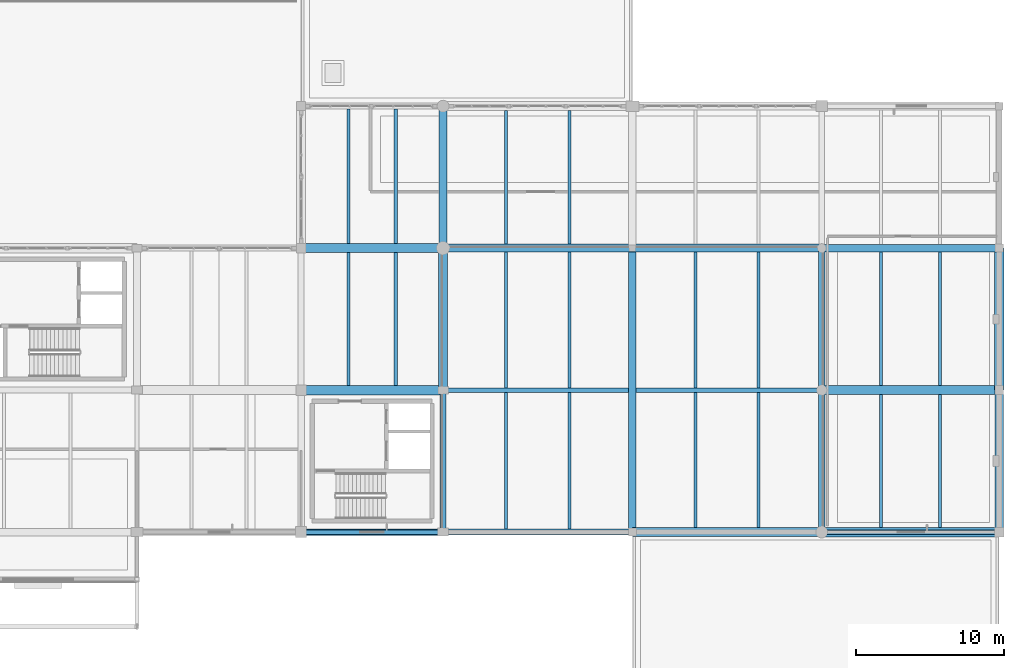
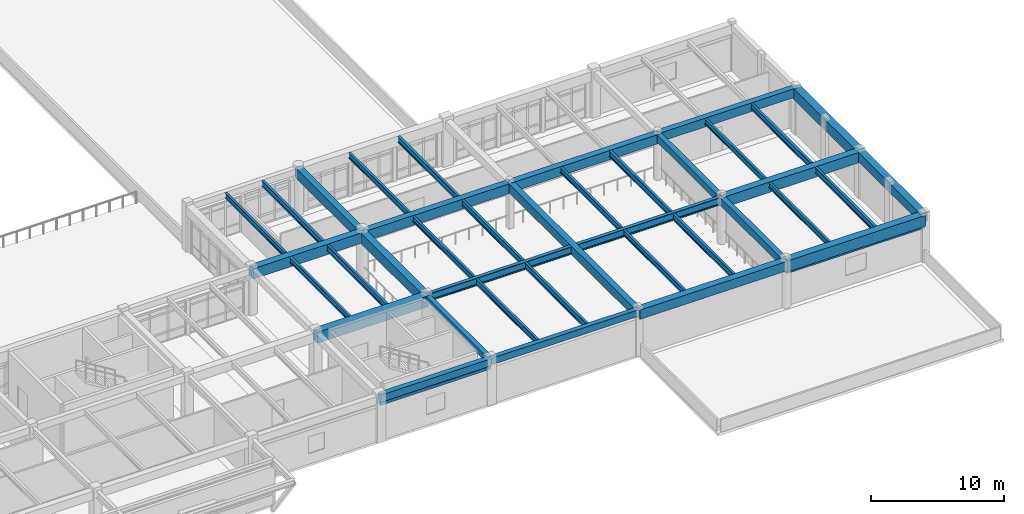
# One storey, part 57 of 109: 39 beams.
"""IFC4 building model written with IfcOpenShell, lengths in metres."""

from ifc_helpers import new_model, si_unit, direction, frame, origin, origin_2d, place, context, subcontext, project, spatial, rectangle, i_section, extrude, material, material_profile, profile_set, type_object, element, save


model = new_model("IFC4")

# Units and contexts
model_context = context("Model", 3, precision=1e-05, world=origin(), true_north=direction((0.0, 1.0)))
body_context = subcontext(model_context, "Body", "Model", "MODEL_VIEW")
ifc_project = project(units=[si_unit("LENGTHUNIT", "METRE"), si_unit("AREAUNIT", "SQUARE_METRE"), si_unit("VOLUMEUNIT", "CUBIC_METRE"), si_unit("PLANEANGLEUNIT", "RADIAN"), si_unit("MASSUNIT", "GRAM", prefix="KILO")], contexts=[model_context])

# Site, building, storey
site_placement = place(None, origin())
site = spatial("IfcSite", under=ifc_project, at=site_placement, CompositionType="ELEMENT")
building_placement = place(site_placement, origin())
building = spatial("IfcBuilding", under=site, at=building_placement, Name="Fikremerkos Civic Library", CompositionType="ELEMENT")
storey_placement = place(building_placement, frame((0.0, 0.0, 5.39990234375)))
storey = spatial("IfcBuildingStorey", under=building, at=storey_placement, Name="L01", CompositionType="ELEMENT", Elevation=5.39990234375)

# Beams
ifc_material_1 = material(Name="Steel S355", Category="steel")
ifc_material_profile_1 = material_profile(ifc_material_1, i_section(OverallWidth=0.2099609375, OverallDepth=0.550048828125, WebThickness=0.010986328125, FlangeThickness=0.01708984375, FilletRadius=0.02392578125, at=origin_2d()), Name="IPE 550")
ifc_profile_set_1 = profile_set([ifc_material_profile_1], Name="Steel S355")
beam_type_1 = type_object("IfcBeamType", Name="Floor joist JS-05 IPE 550", PredefinedType="JOIST", material=ifc_profile_set_1)
beam_1_placement = place(storey_placement, frame((131.199951171875, 21.925048828125, 3.945068359375), z_axis=(0.0, 1.0, 0.0), x_axis=(-1.0, 0.0, 0.0)))
element("IfcBeam", 1, at=beam_1_placement, inside=storey, type_object=beam_type_1, Name="Floor joist JS-05 L01 #449", PredefinedType="JOIST", context=body_context, shape_type="SweptSolid", body=[
    extrude(i_section(OverallWidth=0.2099609375, OverallDepth=0.550048828125, WebThickness=0.010986328125, FlangeThickness=0.01708984375, FilletRadius=0.02392578125, at=origin_2d()), origin(), (0.0, 0.0, 1.0), 8.974853515625),
])
beam_2_placement = place(storey_placement, frame((131.199951171875, 31.5, 3.945068359375), z_axis=(0.0, 1.0, 0.0), x_axis=(-1.0, 0.0, 0.0)))
element("IfcBeam", 2, at=beam_2_placement, inside=storey, type_object=beam_type_1, Name="Floor joist JS-05 L01 #451", PredefinedType="JOIST", context=body_context, shape_type="SweptSolid", body=[
    extrude(i_section(OverallWidth=0.2099609375, OverallDepth=0.550048828125, WebThickness=0.010986328125, FlangeThickness=0.01708984375, FilletRadius=0.02392578125, at=origin_2d()), origin(), (0.0, 0.0, 1.0), 9.10009765625),
])
beam_3_placement = place(storey_placement, frame((142.933349609375, 12.199951171875, 3.945068359375), z_axis=(0.0, 1.0, 0.0), x_axis=(-1.0, 0.0, 0.0)))
element("IfcBeam", 3, at=beam_3_placement, inside=storey, type_object=beam_type_1, Name="Floor joist JS-05 L01 #453", PredefinedType="JOIST", context=body_context, shape_type="SweptSolid", body=[
    extrude(i_section(OverallWidth=0.2099609375, OverallDepth=0.550048828125, WebThickness=0.010986328125, FlangeThickness=0.01708984375, FilletRadius=0.02392578125, at=origin_2d()), origin(), (0.0, 0.0, 1.0), 9.25),
])
beam_4_placement = place(storey_placement, frame((142.933349609375, 21.75, 3.945068359375), z_axis=(0.0, 1.0, 0.0), x_axis=(-1.0, 0.0, 0.0)))
element("IfcBeam", 4, at=beam_4_placement, inside=storey, type_object=beam_type_1, Name="Floor joist JS-05 L01 #455", PredefinedType="JOIST", context=body_context, shape_type="SweptSolid", body=[
    extrude(i_section(OverallWidth=0.2099609375, OverallDepth=0.550048828125, WebThickness=0.010986328125, FlangeThickness=0.01708984375, FilletRadius=0.02392578125, at=origin_2d()), origin(), (0.0, 0.0, 1.0), 9.175048828125),
])
beam_5_placement = place(storey_placement, frame((142.933349609375, 31.47509765625, 3.945068359375), z_axis=(0.0, 1.0, 0.0), x_axis=(-1.0, 0.0, 0.0)))
element("IfcBeam", 5, at=beam_5_placement, inside=storey, type_object=beam_type_1, Name="Floor joist JS-05 L01 #457", PredefinedType="JOIST", context=body_context, shape_type="SweptSolid", body=[
    extrude(i_section(OverallWidth=0.2099609375, OverallDepth=0.550048828125, WebThickness=0.010986328125, FlangeThickness=0.01708984375, FilletRadius=0.02392578125, at=origin_2d()), origin(), (0.0, 0.0, 1.0), 9.02490234375),
])
beam_6_placement = place(storey_placement, frame((155.7333984375, 12.300048828125, 3.945068359375), z_axis=(0.0, 1.0, 0.0), x_axis=(-1.0, 0.0, 0.0)))
element("IfcBeam", 6, at=beam_6_placement, inside=storey, type_object=beam_type_1, Name="Floor joist JS-05 L01 #459", PredefinedType="JOIST", context=body_context, shape_type="SweptSolid", body=[
    extrude(i_section(OverallWidth=0.2099609375, OverallDepth=0.550048828125, WebThickness=0.010986328125, FlangeThickness=0.01708984375, FilletRadius=0.02392578125, at=origin_2d()), origin(), (0.0, 0.0, 1.0), 9.14990234375),
])
beam_7_placement = place(storey_placement, frame((155.7333984375, 21.75, 3.945068359375), z_axis=(0.0, 1.0, 0.0), x_axis=(-1.0, 0.0, 0.0)))
element("IfcBeam", 7, at=beam_7_placement, inside=storey, type_object=beam_type_1, Name="Floor joist JS-05 L01 #461", PredefinedType="JOIST", context=body_context, shape_type="SweptSolid", body=[
    extrude(i_section(OverallWidth=0.2099609375, OverallDepth=0.550048828125, WebThickness=0.010986328125, FlangeThickness=0.01708984375, FilletRadius=0.02392578125, at=origin_2d()), origin(), (0.0, 0.0, 1.0), 9.175048828125),
])
beam_8_placement = place(storey_placement, frame((168.0, 12.324951171875, 3.985107421875), z_axis=(0.0, 1.0, 0.0), x_axis=(-1.0, 0.0, 0.0)))
element("IfcBeam", 8, at=beam_8_placement, inside=storey, type_object=beam_type_1, Name="Floor joist JS-05 L01 #465", PredefinedType="JOIST", context=body_context, shape_type="SweptSolid", body=[
    extrude(i_section(OverallWidth=0.2099609375, OverallDepth=0.550048828125, WebThickness=0.010986328125, FlangeThickness=0.01708984375, FilletRadius=0.02392578125, at=origin_2d()), origin(), (0.0, 0.0, 1.0), 8.97509765625),
])
beam_9_placement = place(storey_placement, frame((168.0, 21.89990234375, 3.985107421875), z_axis=(0.0, 1.0, 0.0), x_axis=(-1.0, 0.0, 0.0)))
element("IfcBeam", 9, at=beam_9_placement, inside=storey, type_object=beam_type_1, Name="Floor joist JS-05 L01 #467", PredefinedType="JOIST", context=body_context, shape_type="SweptSolid", body=[
    extrude(i_section(OverallWidth=0.2099609375, OverallDepth=0.550048828125, WebThickness=0.010986328125, FlangeThickness=0.01708984375, FilletRadius=0.02392578125, at=origin_2d()), origin(), (0.0, 0.0, 1.0), 9.050048828125),
])
ifc_material_profile_2 = material_profile(ifc_material_1, i_section(OverallWidth=0.199951171875, OverallDepth=0.5, WebThickness=0.01025390625, FlangeThickness=0.01611328125, FilletRadius=0.02099609375, at=origin_2d()), Name="IPE 500")
ifc_profile_set_2 = profile_set([ifc_material_profile_2], Name="Steel S355")
beam_type_2 = type_object("IfcBeamType", Name="Floor joist JS-06 IPE 500", PredefinedType="JOIST", material=ifc_profile_set_2)
beam_10_placement = place(storey_placement, frame((128.0, 21.925048828125, 3.97021484375), z_axis=(0.0, 1.0, 0.0), x_axis=(-1.0, 0.0, 0.0)))
element("IfcBeam", 10, at=beam_10_placement, inside=storey, type_object=beam_type_2, Name="Floor joist JS-06 L01 #448", PredefinedType="JOIST", context=body_context, shape_type="SweptSolid", body=[
    extrude(i_section(OverallWidth=0.199951171875, OverallDepth=0.5, WebThickness=0.01025390625, FlangeThickness=0.01611328125, FilletRadius=0.02099609375, at=origin_2d()), origin(), (0.0, 0.0, 1.0), 8.974853515625),
])
beam_11_placement = place(storey_placement, frame((128.0, 31.5, 3.97021484375), z_axis=(0.0, 1.0, 0.0), x_axis=(-1.0, 0.0, 0.0)))
element("IfcBeam", 11, at=beam_11_placement, inside=storey, type_object=beam_type_2, Name="Floor joist JS-06 L01 #450", PredefinedType="JOIST", context=body_context, shape_type="SweptSolid", body=[
    extrude(i_section(OverallWidth=0.199951171875, OverallDepth=0.5, WebThickness=0.01025390625, FlangeThickness=0.01611328125, FilletRadius=0.02099609375, at=origin_2d()), origin(), (0.0, 0.0, 1.0), 9.10009765625),
])
beam_12_placement = place(storey_placement, frame((138.666748046875, 12.199951171875, 3.97021484375), z_axis=(0.0, 1.0, 0.0), x_axis=(-1.0, 0.0, 0.0)))
element("IfcBeam", 12, at=beam_12_placement, inside=storey, type_object=beam_type_2, Name="Floor joist JS-06 L01 #452", PredefinedType="JOIST", context=body_context, shape_type="SweptSolid", body=[
    extrude(i_section(OverallWidth=0.199951171875, OverallDepth=0.5, WebThickness=0.01025390625, FlangeThickness=0.01611328125, FilletRadius=0.02099609375, at=origin_2d()), origin(), (0.0, 0.0, 1.0), 9.25),
])
beam_13_placement = place(storey_placement, frame((138.666748046875, 21.75, 3.97021484375), z_axis=(0.0, 1.0, 0.0), x_axis=(-1.0, 0.0, 0.0)))
element("IfcBeam", 13, at=beam_13_placement, inside=storey, type_object=beam_type_2, Name="Floor joist JS-06 L01 #454", PredefinedType="JOIST", context=body_context, shape_type="SweptSolid", body=[
    extrude(i_section(OverallWidth=0.199951171875, OverallDepth=0.5, WebThickness=0.01025390625, FlangeThickness=0.01611328125, FilletRadius=0.02099609375, at=origin_2d()), origin(), (0.0, 0.0, 1.0), 9.175048828125),
])
beam_14_placement = place(storey_placement, frame((138.666748046875, 31.47509765625, 3.97021484375), z_axis=(0.0, 1.0, 0.0), x_axis=(-1.0, 0.0, 0.0)))
element("IfcBeam", 14, at=beam_14_placement, inside=storey, type_object=beam_type_2, Name="Floor joist JS-06 L01 #456", PredefinedType="JOIST", context=body_context, shape_type="SweptSolid", body=[
    extrude(i_section(OverallWidth=0.199951171875, OverallDepth=0.5, WebThickness=0.01025390625, FlangeThickness=0.01611328125, FilletRadius=0.02099609375, at=origin_2d()), origin(), (0.0, 0.0, 1.0), 9.02490234375),
])
beam_15_placement = place(storey_placement, frame((151.466796875, 12.300048828125, 3.97021484375), z_axis=(0.0, 1.0, 0.0), x_axis=(-1.0, 0.0, 0.0)))
element("IfcBeam", 15, at=beam_15_placement, inside=storey, type_object=beam_type_2, Name="Floor joist JS-06 L01 #458", PredefinedType="JOIST", context=body_context, shape_type="SweptSolid", body=[
    extrude(i_section(OverallWidth=0.199951171875, OverallDepth=0.5, WebThickness=0.01025390625, FlangeThickness=0.01611328125, FilletRadius=0.02099609375, at=origin_2d()), origin(), (0.0, 0.0, 1.0), 9.14990234375),
])
beam_16_placement = place(storey_placement, frame((151.466796875, 21.75, 3.97021484375), z_axis=(0.0, 1.0, 0.0), x_axis=(-1.0, 0.0, 0.0)))
element("IfcBeam", 16, at=beam_16_placement, inside=storey, type_object=beam_type_2, Name="Floor joist JS-06 L01 #460", PredefinedType="JOIST", context=body_context, shape_type="SweptSolid", body=[
    extrude(i_section(OverallWidth=0.199951171875, OverallDepth=0.5, WebThickness=0.01025390625, FlangeThickness=0.01611328125, FilletRadius=0.02099609375, at=origin_2d()), origin(), (0.0, 0.0, 1.0), 9.175048828125),
])
beam_17_placement = place(storey_placement, frame((164.0, 12.324951171875, 4.010009765625), z_axis=(0.0, 1.0, 0.0), x_axis=(-1.0, 0.0, 0.0)))
element("IfcBeam", 17, at=beam_17_placement, inside=storey, type_object=beam_type_2, Name="Floor joist JS-06 L01 #464", PredefinedType="JOIST", context=body_context, shape_type="SweptSolid", body=[
    extrude(i_section(OverallWidth=0.199951171875, OverallDepth=0.5, WebThickness=0.01025390625, FlangeThickness=0.01611328125, FilletRadius=0.02099609375, at=origin_2d()), origin(), (0.0, 0.0, 1.0), 8.97509765625),
])
beam_18_placement = place(storey_placement, frame((164.0, 21.89990234375, 4.010009765625), z_axis=(0.0, 1.0, 0.0), x_axis=(-1.0, 0.0, 0.0)))
element("IfcBeam", 18, at=beam_18_placement, inside=storey, type_object=beam_type_2, Name="Floor joist JS-06 L01 #466", PredefinedType="JOIST", context=body_context, shape_type="SweptSolid", body=[
    extrude(i_section(OverallWidth=0.199951171875, OverallDepth=0.5, WebThickness=0.01025390625, FlangeThickness=0.01611328125, FilletRadius=0.02099609375, at=origin_2d()), origin(), (0.0, 0.0, 1.0), 9.050048828125),
])
ifc_material_2 = material(Name="Concrete C40/50", Category="concrete")
ifc_material_profile_3 = material_profile(ifc_material_2, rectangle(XDim=0.300048828125, YDim=0.260009765625, at=origin_2d()), Name="RC 300x260")
ifc_profile_set_3 = profile_set([ifc_material_profile_3], Name="Concrete C40/50")
beam_type_3 = type_object("IfcBeamType", Name="Opening lintel LNT-02 RC 300x260", PredefinedType="LINTEL", material=ifc_profile_set_3)
beam_19_placement = place(storey_placement, frame((172.0, 12.0, 3.10009765625), z_axis=(-1.0, 0.0, 0.0), x_axis=(0.0, -1.0, 0.0)))
element("IfcBeam", 19, at=beam_19_placement, inside=storey, type_object=beam_type_3, Name="Courtyard window head lintel LNT-02 L01 #20", PredefinedType="LINTEL", context=body_context, shape_type="SweptSolid", body=[
    extrude(rectangle(XDim=0.300048828125, YDim=0.260009765625, at=origin_2d()), origin(), (0.0, 0.0, 1.0), 12.0),
])
beam_20_placement = place(storey_placement, frame((134.39990234375, 12.0, 3.360107421875), z_axis=(-1.0, 0.0, 0.0), x_axis=(0.0, -1.0, 0.0)))
element("IfcBeam", 20, at=beam_20_placement, inside=storey, type_object=beam_type_3, Name="Courtyard window head lintel LNT-02 L01 #21", PredefinedType="LINTEL", context=body_context, shape_type="SweptSolid", body=[
    extrude(rectangle(XDim=0.300048828125, YDim=0.260009765625, at=origin_2d()), origin(), (0.0, 0.0, 1.0), 9.599853515625),
])
ifc_material_profile_4 = material_profile(ifc_material_2, rectangle(XDim=0.60009765625, YDim=0.949951171875, at=origin_2d()), Name="RC 600x950")
ifc_profile_set_4 = profile_set([ifc_material_profile_4], Name="Concrete C40/50")
beam_type_4 = type_object("IfcBeamType", Name="Primary girder BM-01 RC 600x950", PredefinedType="BEAM", material=ifc_profile_set_4)
beam_21_placement = place(storey_placement, frame((160.0, 21.60009765625, 3.78515625), z_axis=(1.0, 0.0, 0.0), x_axis=(0.0, 1.0, 0.0)))
element("IfcBeam", 21, at=beam_21_placement, inside=storey, type_object=beam_type_4, Name="Primary girder BM-01 L01 grid F", PredefinedType="BEAM", context=body_context, shape_type="SweptSolid", body=[
    extrude(rectangle(XDim=0.60009765625, YDim=0.949951171875, at=origin_2d()), origin(), (0.0, 0.0, 1.0), 12.0),
])
for number, where, z_axis, x_axis, name in (
    (22, (124.800048828125, 31.199951171875, 3.7451171875), (1.0, 0.0, 0.0), (0.0, 1.0, 0.0), "Primary girder BM-01 L01 grid G"),
    (23, (134.39990234375, 21.60009765625, 3.7451171875), (0.0, 1.0, 0.0), (-1.0, 0.0, 0.0), "Primary girder BM-01 L01 grid 12"),
):
    element("IfcBeam", number, at=place(storey_placement, frame(where, z_axis=z_axis, x_axis=x_axis)), inside=storey, type_object=beam_type_4, Name=name, PredefinedType="BEAM", context=body_context, shape_type="SweptSolid", body=[
        extrude(rectangle(XDim=0.60009765625, YDim=0.949951171875, at=origin_2d()), origin(), (0.0, 0.0, 1.0), 9.599853515625),
    ])
ifc_material_profile_5 = material_profile(ifc_material_2, rectangle(XDim=0.550048828125, YDim=0.89990234375, at=origin_2d()), Name="RC 550x900")
ifc_profile_set_5 = profile_set([ifc_material_profile_5], Name="Concrete C40/50")
beam_type_5 = type_object("IfcBeamType", Name="Primary girder BM-02 RC 550x900", PredefinedType="BEAM", material=ifc_profile_set_5)
beam_22_placement = place(storey_placement, frame((134.39990234375, 31.199951171875, 3.77001953125), z_axis=(1.0, 0.0, 0.0), x_axis=(0.0, 1.0, 0.0)))
element("IfcBeam", 24, at=beam_22_placement, inside=storey, type_object=beam_type_5, Name="Primary girder BM-02 L01 grid G", PredefinedType="BEAM", context=body_context, shape_type="SweptSolid", body=[
    extrude(rectangle(XDim=0.550048828125, YDim=0.89990234375, at=origin_2d()), origin(), (0.0, 0.0, 1.0), 12.800048828125),
])
beam_23_placement = place(storey_placement, frame((134.39990234375, 31.199951171875, 3.77001953125), z_axis=(0.0, 1.0, 0.0), x_axis=(-1.0, 0.0, 0.0)))
element("IfcBeam", 25, at=beam_23_placement, inside=storey, type_object=beam_type_5, Name="Primary girder BM-02 L01 grid 12", PredefinedType="BEAM", context=body_context, shape_type="SweptSolid", body=[
    extrude(rectangle(XDim=0.550048828125, YDim=0.89990234375, at=origin_2d()), origin(), (0.0, 0.0, 1.0), 9.60009765625),
])
ifc_material_profile_6 = material_profile(ifc_material_2, rectangle(XDim=0.550048828125, YDim=0.85009765625, at=origin_2d()), Name="RC 550x850")
ifc_profile_set_6 = profile_set([ifc_material_profile_6], Name="Concrete C40/50")
beam_type_6 = type_object("IfcBeamType", Name="Primary girder BM-03 RC 550x850", PredefinedType="BEAM", material=ifc_profile_set_6)
beam_24_placement = place(storey_placement, frame((147.199951171875, 31.199951171875, 3.795166015625), z_axis=(1.0, 0.0, 0.0), x_axis=(0.0, 1.0, 0.0)))
element("IfcBeam", 26, at=beam_24_placement, inside=storey, type_object=beam_type_6, Name="Primary girder BM-03 L01 grid G", PredefinedType="BEAM", context=body_context, shape_type="SweptSolid", body=[
    extrude(rectangle(XDim=0.550048828125, YDim=0.85009765625, at=origin_2d()), origin(), (0.0, 0.0, 1.0), 12.800048828125),
])
ifc_material_profile_7 = material_profile(ifc_material_2, rectangle(XDim=0.5, YDim=0.800048828125, at=origin_2d()), Name="RC 500x800")
ifc_profile_set_7 = profile_set([ifc_material_profile_7], Name="Concrete C40/50")
beam_type_7 = type_object("IfcBeamType", Name="Primary girder BM-04 RC 500x800", PredefinedType="BEAM", material=ifc_profile_set_7)
beam_25_placement = place(storey_placement, frame((160.0, 31.199951171875, 3.860107421875), z_axis=(1.0, 0.0, 0.0), x_axis=(0.0, 1.0, 0.0)))
element("IfcBeam", 27, at=beam_25_placement, inside=storey, type_object=beam_type_7, Name="Primary girder BM-04 L01 grid G", PredefinedType="BEAM", context=body_context, shape_type="SweptSolid", body=[
    extrude(rectangle(XDim=0.5, YDim=0.800048828125, at=origin_2d()), origin(), (0.0, 0.0, 1.0), 12.0),
])
beam_26_placement = place(storey_placement, frame((147.199951171875, 12.0, 3.820068359375), z_axis=(0.0, 1.0, 0.0), x_axis=(-1.0, 0.0, 0.0)))
element("IfcBeam", 28, at=beam_26_placement, inside=storey, type_object=beam_type_7, Name="Primary girder BM-04 L01 grid 13", PredefinedType="BEAM", context=body_context, shape_type="SweptSolid", body=[
    extrude(rectangle(XDim=0.5, YDim=0.800048828125, at=origin_2d()), origin(), (0.0, 0.0, 1.0), 19.199951171875),
])
ifc_material_profile_8 = material_profile(ifc_material_2, rectangle(XDim=0.449951171875, YDim=0.699951171875, at=origin_2d()), Name="RC 450x700")
ifc_profile_set_8 = profile_set([ifc_material_profile_8], Name="Concrete C40/50")
beam_type_8 = type_object("IfcBeamType", Name="Primary girder BM-06 RC 450x700", PredefinedType="BEAM", material=ifc_profile_set_8)
beam_27_placement = place(storey_placement, frame((160.0, 12.0, 3.8701171875), z_axis=(0.0, 1.0, 0.0), x_axis=(-1.0, 0.0, 0.0)))
element("IfcBeam", 29, at=beam_27_placement, inside=storey, type_object=beam_type_8, Name="Primary girder BM-06 L01 grid 14", PredefinedType="BEAM", context=body_context, shape_type="SweptSolid", body=[
    extrude(rectangle(XDim=0.449951171875, YDim=0.699951171875, at=origin_2d()), origin(), (0.0, 0.0, 1.0), 9.60009765625),
])
ifc_material_profile_9 = material_profile(ifc_material_2, rectangle(XDim=0.449951171875, YDim=0.64990234375, at=origin_2d()), Name="RC 450x650")
ifc_profile_set_9 = profile_set([ifc_material_profile_9], Name="Concrete C40/50")
beam_type_9 = type_object("IfcBeamType", Name="Primary girder BM-07 RC 450x650", PredefinedType="BEAM", material=ifc_profile_set_9)
for number, where, z_axis, x_axis, name in (
    (30, (124.800048828125, 12.0, 3.89501953125), (1.0, 0.0, 0.0), (0.0, 1.0, 0.0), "Primary girder BM-07 L01 grid E"),
    (31, (160.0, 21.60009765625, 3.89501953125), (0.0, 1.0, 0.0), (-1.0, 0.0, 0.0), "Primary girder BM-07 L01 grid 14"),
):
    element("IfcBeam", number, at=place(storey_placement, frame(where, z_axis=z_axis, x_axis=x_axis)), inside=storey, type_object=beam_type_9, Name=name, PredefinedType="BEAM", context=body_context, shape_type="SweptSolid", body=[
        extrude(rectangle(XDim=0.449951171875, YDim=0.64990234375, at=origin_2d()), origin(), (0.0, 0.0, 1.0), 9.599853515625),
    ])
ifc_material_profile_10 = material_profile(ifc_material_2, rectangle(XDim=0.39990234375, YDim=0.60009765625, at=origin_2d()), Name="RC 400x600")
ifc_profile_set_10 = profile_set([ifc_material_profile_10], Name="Concrete C40/50")
beam_type_10 = type_object("IfcBeamType", Name="Primary girder BM-08 RC 400x600", PredefinedType="BEAM", material=ifc_profile_set_10)
beam_28_placement = place(storey_placement, frame((134.39990234375, 12.0, 3.920166015625), z_axis=(1.0, 0.0, 0.0), x_axis=(0.0, 1.0, 0.0)))
element("IfcBeam", 32, at=beam_28_placement, inside=storey, type_object=beam_type_10, Name="Primary girder BM-08 L01 grid E", PredefinedType="BEAM", context=body_context, shape_type="SweptSolid", body=[
    extrude(rectangle(XDim=0.39990234375, YDim=0.60009765625, at=origin_2d()), origin(), (0.0, 0.0, 1.0), 12.800048828125),
])
ifc_material_profile_11 = material_profile(ifc_material_1, i_section(OverallWidth=0.300048828125, OverallDepth=0.699951171875, WebThickness=0.01708984375, FlangeThickness=0.031982421875, FilletRadius=0.027099609375, at=origin_2d()), Name="HEB 700")
ifc_profile_set_11 = profile_set([ifc_material_profile_11], Name="Steel S355")
beam_type_11 = type_object("IfcBeamType", Name="Primary girder BM-11 HEB 700", PredefinedType="BEAM", material=ifc_profile_set_11)
beam_29_placement = place(storey_placement, frame((134.39990234375, 21.60009765625, 3.8701171875), z_axis=(1.0, 0.0, 0.0), x_axis=(0.0, 1.0, 0.0)))
element("IfcBeam", 33, at=beam_29_placement, inside=storey, type_object=beam_type_11, Name="Primary girder BM-11 L01 grid F", PredefinedType="BEAM", context=body_context, shape_type="SweptSolid", body=[
    extrude(i_section(OverallWidth=0.300048828125, OverallDepth=0.699951171875, WebThickness=0.01708984375, FlangeThickness=0.031982421875, FilletRadius=0.027099609375, at=origin_2d()), origin(), (0.0, 0.0, 1.0), 25.60009765625),
])
ifc_material_profile_12 = material_profile(ifc_material_2, rectangle(XDim=0.60009765625, YDim=0.85009765625, at=origin_2d()), Name="RC 600x850")
ifc_profile_set_12 = profile_set([ifc_material_profile_12], Name="Concrete C40/50")
beam_type_12 = type_object("IfcBeamType", Name="Primary girder BM-24 RC 600x850", PredefinedType="BEAM", material=ifc_profile_set_12)
beam_30_placement = place(storey_placement, frame((147.199951171875, 12.0, 3.795166015625), z_axis=(1.0, 0.0, 0.0), x_axis=(0.0, 1.0, 0.0)))
element("IfcBeam", 34, at=beam_30_placement, inside=storey, type_object=beam_type_12, Name="Primary girder BM-24 L01 grid E", PredefinedType="BEAM", context=body_context, shape_type="SweptSolid", body=[
    extrude(rectangle(XDim=0.60009765625, YDim=0.85009765625, at=origin_2d()), origin(), (0.0, 0.0, 1.0), 12.800048828125),
])
beam_31_placement = place(storey_placement, frame((172.0, 12.0, 3.835205078125), z_axis=(0.0, 1.0, 0.0), x_axis=(-1.0, 0.0, 0.0)))
element("IfcBeam", 35, at=beam_31_placement, inside=storey, type_object=beam_type_12, Name="Primary girder BM-24 L01 grid 15", PredefinedType="BEAM", context=body_context, shape_type="SweptSolid", body=[
    extrude(rectangle(XDim=0.60009765625, YDim=0.85009765625, at=origin_2d()), origin(), (0.0, 0.0, 1.0), 9.60009765625),
])
ifc_material_3 = material(Name="Concrete C45/55", Category="concrete")
ifc_material_profile_13 = material_profile(ifc_material_3, rectangle(XDim=0.64990234375, YDim=1.0, at=origin_2d()), Name="RC 650x1000")
ifc_profile_set_13 = profile_set([ifc_material_profile_13], Name="Concrete C45/55")
beam_type_13 = type_object("IfcBeamType", Name="Primary girder BM-25 RC 650x1000", PredefinedType="BEAM", material=ifc_profile_set_13)
beam_32_placement = place(storey_placement, frame((160.0, 12.0, 3.760009765625), z_axis=(1.0, 0.0, 0.0), x_axis=(0.0, 1.0, 0.0)))
element("IfcBeam", 36, at=beam_32_placement, inside=storey, type_object=beam_type_13, Name="Primary girder BM-25 L01 grid E", PredefinedType="BEAM", context=body_context, shape_type="SweptSolid", body=[
    extrude(rectangle(XDim=0.64990234375, YDim=1.0, at=origin_2d()), origin(), (0.0, 0.0, 1.0), 12.0),
])
for number, where, z_axis, x_axis, name in (
    (37, (124.800048828125, 21.60009765625, 3.72021484375), (1.0, 0.0, 0.0), (0.0, 1.0, 0.0), "Primary girder BM-25 L01 grid F"),
    (38, (172.0, 21.60009765625, 3.760009765625), (0.0, 1.0, 0.0), (-1.0, 0.0, 0.0), "Primary girder BM-25 L01 grid 15"),
):
    element("IfcBeam", number, at=place(storey_placement, frame(where, z_axis=z_axis, x_axis=x_axis)), inside=storey, type_object=beam_type_13, Name=name, PredefinedType="BEAM", context=body_context, shape_type="SweptSolid", body=[
        extrude(rectangle(XDim=0.64990234375, YDim=1.0, at=origin_2d()), origin(), (0.0, 0.0, 1.0), 9.599853515625),
    ])
ifc_material_profile_14 = material_profile(ifc_material_2, rectangle(XDim=0.39990234375, YDim=0.550048828125, at=origin_2d()), Name="RC 400x550")
ifc_profile_set_14 = profile_set([ifc_material_profile_14], Name="Concrete C40/50")
beam_type_14 = type_object("IfcBeamType", Name="Primary girder BM-26 RC 400x550", PredefinedType="BEAM", material=ifc_profile_set_14)
beam_33_placement = place(storey_placement, frame((134.39990234375, 12.0, 3.945068359375), z_axis=(0.0, 1.0, 0.0), x_axis=(-1.0, 0.0, 0.0)))
element("IfcBeam", 39, at=beam_33_placement, inside=storey, type_object=beam_type_14, Name="Primary girder BM-26 L01 grid 12", PredefinedType="BEAM", context=body_context, shape_type="SweptSolid", body=[
    extrude(rectangle(XDim=0.39990234375, YDim=0.550048828125, at=origin_2d()), origin(), (0.0, 0.0, 1.0), 9.60009765625),
])

save(model, "model.ifc")
